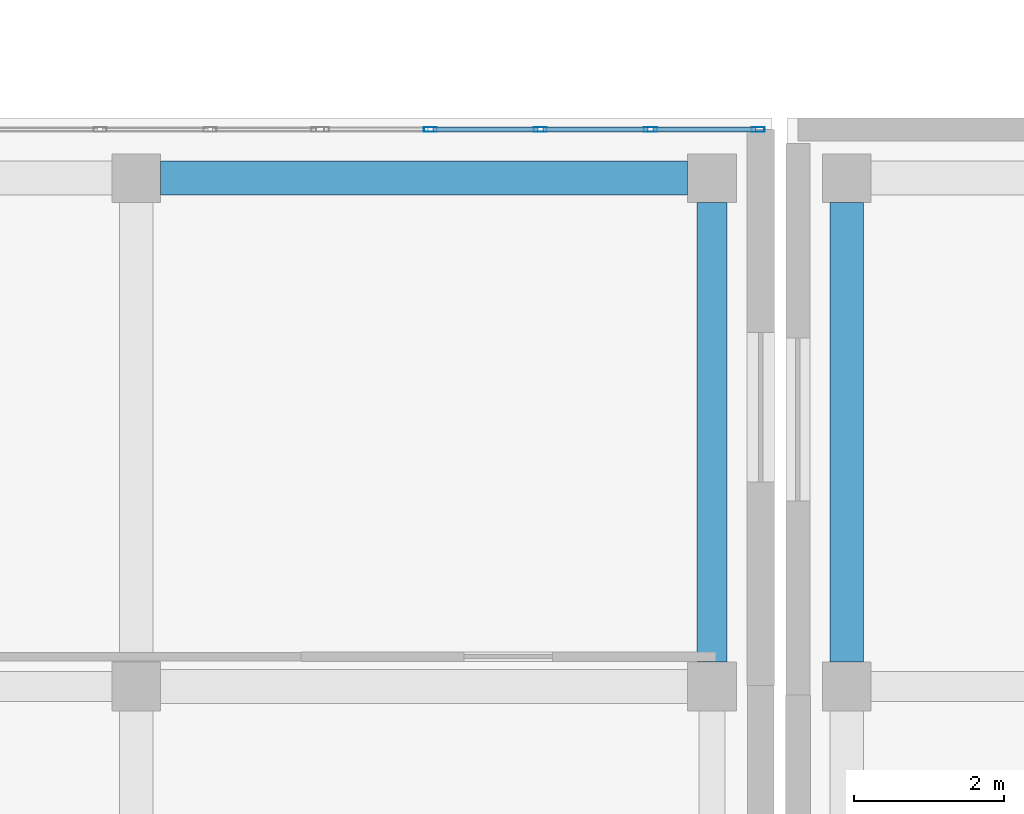
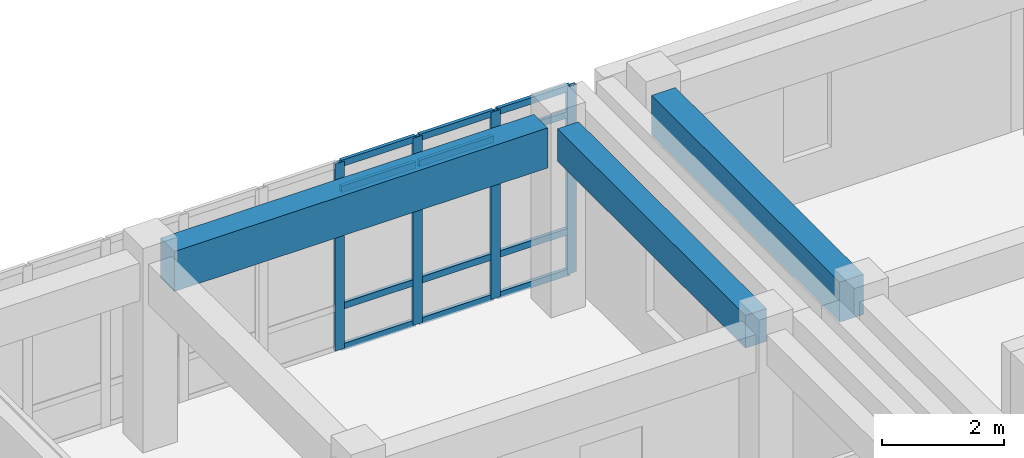
# One storey, part 31 of 146: 16 members, 3 beams, 1 element without a shape of its own.
"""IFC4 building model written with IfcOpenShell, lengths in metres."""

from ifc_helpers import new_model, si_unit, direction, frame, origin, origin_2d, place, context, subcontext, project, spatial, rectangle, hollow_rectangle, extrude, material, layer, layer_set, material_profile, profile_set, type_object, element, aggregate, save


model = new_model("IFC4")

# Units and contexts
model_context = context("Model", 3, precision=1e-05, world=origin(), true_north=direction((0.0, 1.0)))
body_context = subcontext(model_context, "Body", "Model", "MODEL_VIEW")
ifc_project = project(units=[si_unit("LENGTHUNIT", "METRE"), si_unit("AREAUNIT", "SQUARE_METRE"), si_unit("VOLUMEUNIT", "CUBIC_METRE"), si_unit("PLANEANGLEUNIT", "RADIAN"), si_unit("MASSUNIT", "GRAM", prefix="KILO")], contexts=[model_context])

# Site, building, storey
site_placement = place(None, origin())
site = spatial("IfcSite", under=ifc_project, at=site_placement, CompositionType="ELEMENT")
building_placement = place(site_placement, origin())
building = spatial("IfcBuilding", under=site, at=building_placement, Name="Valcora Specialist Clinic", CompositionType="ELEMENT")
storey_placement = place(building_placement, frame((0.0, 0.0, 9.52001953125)))
storey = spatial("IfcBuildingStorey", under=building, at=storey_placement, Name="L02", CompositionType="ELEMENT", Elevation=9.52001953125)

# Beams
ifc_material_1 = material(Name="Concrete C40/50", Category="concrete")
ifc_material_profile_1 = material_profile(ifc_material_1, rectangle(XDim=0.39990234375, YDim=0.64990234375, at=origin_2d()), Name="RC-BM-400X650")
ifc_profile_set_1 = profile_set([ifc_material_profile_1], Name="Concrete C40/50")
beam_type_1 = type_object("IfcBeamType", Name="TY-BM-RC400X650", PredefinedType="BEAM", material=ifc_profile_set_1)
beam_1_placement = place(storey_placement, frame((52.5, 15.52490234375, 3.409912109375), z_axis=(0.0, 1.0, 0.0), x_axis=(-1.0, 0.0, 0.0)))
element("IfcBeam", 1, at=beam_1_placement, inside=storey, type_object=beam_type_1, Name="Beam BM-L02-1027", PredefinedType="BEAM", context=body_context, shape_type="SweptSolid", body=[
    extrude(rectangle(XDim=0.39990234375, YDim=0.64990234375, at=origin_2d()), origin(), (0.0, 0.0, 1.0), 6.150146484375),
])
ifc_material_profile_2 = material_profile(ifc_material_1, rectangle(XDim=0.449951171875, YDim=0.800048828125, at=origin_2d()), Name="RC-BM-450X800")
ifc_profile_set_2 = profile_set([ifc_material_profile_2], Name="Concrete C40/50")
beam_type_2 = type_object("IfcBeamType", Name="TY-BM-RC450X800", PredefinedType="BEAM", material=ifc_profile_set_2)
beam_2_placement = place(storey_placement, frame((45.125, 22.0, 3.3349609375), z_axis=(1.0, 0.0, 0.0), x_axis=(0.0, 1.0, 0.0)))
element("IfcBeam", 2, at=beam_2_placement, inside=storey, type_object=beam_type_2, Name="Beam BM-L02-1008", PredefinedType="BEAM", context=body_context, shape_type="SweptSolid", body=[
    extrude(rectangle(XDim=0.449951171875, YDim=0.800048828125, at=origin_2d()), origin(), (0.0, 0.0, 1.0), 7.050048828125),
])
beam_3_placement = place(storey_placement, frame((54.300048828125, 15.52490234375, 3.3798828125), z_axis=(0.0, 1.0, 0.0), x_axis=(-1.0, 0.0, 0.0)))
element("IfcBeam", 3, at=beam_3_placement, inside=storey, type_object=beam_type_2, Name="Beam BM-L02-1396", PredefinedType="BEAM", context=body_context, shape_type="SweptSolid", body=[
    extrude(rectangle(XDim=0.449951171875, YDim=0.800048828125, at=origin_2d()), origin(), (0.0, 0.0, 1.0), 6.150146484375),
])

# Curtain wall, members
ifc_material_2 = material(Name="Anodized Bronze Aluminium 6063-T6", Category="aluminium")
ifc_layer = layer(ifc_material_2, 0.175048828125)
ifc_layer_set = layer_set([ifc_layer], Name="Anodized Bronze Aluminium 6063-T6")
curtain_wall_type = type_object("IfcCurtainWallType", Name="TY-CW-V5F15", PredefinedType="NOTDEFINED", material=ifc_layer_set)
curtain_wall_placement = place(storey_placement, origin())
curtain_wall = element("IfcCurtainWall", 4, at=curtain_wall_placement, inside=storey, type_object=curtain_wall_type, Name="Curtain wall CW-L02-151", PredefinedType="NOTDEFINED")
ifc_material_profile_3 = material_profile(ifc_material_2, hollow_rectangle(XDim=0.06494140625, YDim=0.175048828125, WallThickness=0.00390625, at=origin_2d()), Name="AL-MUL-65X175")
ifc_profile_set_3 = profile_set([ifc_material_profile_3], Name="Anodized Bronze Aluminium 6063-T6")
member_type_1 = type_object("IfcMemberType", Name="TY-CWM-65X175", PredefinedType="MULLION", material=ifc_profile_set_3)
member_1_placement = place(storey_placement, frame((48.7333984375, 22.64990234375, 0.0), z_axis=(0.0, 0.0, 1.0), x_axis=(0.0, 1.0, 0.0)))
member_1 = element("IfcMember", 5, at=member_1_placement, type_object=member_type_1, Name="CW-V5F-15 mullion 2", PredefinedType="MULLION", context=body_context, shape_type="SweptSolid", body=[
    extrude(hollow_rectangle(XDim=0.06494140625, YDim=0.175048828125, WallThickness=0.00390625, at=origin_2d()), origin(), (0.0, 0.0, 1.0), 3.73486328125),
])
member_2_placement = place(storey_placement, frame((50.20556640625, 22.64990234375, 0.0), z_axis=(0.0, 0.0, 1.0), x_axis=(0.0, 1.0, 0.0)))
member_2 = element("IfcMember", 6, at=member_2_placement, type_object=member_type_1, Name="CW-V5F-15 mullion 3", PredefinedType="MULLION", context=body_context, shape_type="SweptSolid", body=[
    extrude(hollow_rectangle(XDim=0.06494140625, YDim=0.175048828125, WallThickness=0.00390625, at=origin_2d()), origin(), (0.0, 0.0, 1.0), 3.73486328125),
])
member_3_placement = place(storey_placement, frame((51.677734375, 22.64990234375, 0.0), z_axis=(0.0, 0.0, 1.0), x_axis=(0.0, 1.0, 0.0)))
member_3 = element("IfcMember", 7, at=member_3_placement, type_object=member_type_1, Name="CW-V5F-15 mullion 4", PredefinedType="MULLION", context=body_context, shape_type="SweptSolid", body=[
    extrude(hollow_rectangle(XDim=0.06494140625, YDim=0.175048828125, WallThickness=0.00390625, at=origin_2d()), origin(), (0.0, 0.0, 1.0), 3.73486328125),
])
member_4_placement = place(storey_placement, frame((53.117431640625, 22.64990234375, 0.0), z_axis=(0.0, 0.0, 1.0), x_axis=(0.0, 1.0, 0.0)))
member_4 = element("IfcMember", 8, at=member_4_placement, type_object=member_type_1, Name="CW-V5F-15 mullion 5", PredefinedType="MULLION", context=body_context, shape_type="SweptSolid", body=[
    extrude(hollow_rectangle(XDim=0.06494140625, YDim=0.175048828125, WallThickness=0.00390625, at=origin_2d()), origin(), (0.0, 0.0, 1.0), 3.73486328125),
])
ifc_material_profile_4 = material_profile(ifc_material_2, hollow_rectangle(XDim=0.06494140625, YDim=0.1298828125, WallThickness=0.00390625, at=origin_2d()), Name="AL-TRN-65X130")
ifc_profile_set_4 = profile_set([ifc_material_profile_4], Name="Anodized Bronze Aluminium 6063-T6")
member_type_2 = type_object("IfcMemberType", Name="TY-CWT-65X130", PredefinedType="USERDEFINED", material=ifc_profile_set_4)
member_5_placement = place(storey_placement, frame((48.765869140625, 22.64990234375, 0.032470703125), z_axis=(1.0, 0.0, 0.0), x_axis=(0.0, 1.0, 0.0)))
member_5 = element("IfcMember", 9, at=member_5_placement, type_object=member_type_2, Name="CW-V5F-15 transom 2.1", ObjectType="TRANSOM", PredefinedType="USERDEFINED", context=body_context, shape_type="SweptSolid", body=[
    extrude(hollow_rectangle(XDim=0.06494140625, YDim=0.1298828125, WallThickness=0.00390625, at=origin_2d()), origin(), (0.0, 0.0, 1.0), 1.4072265625),
])
member_6_placement = place(storey_placement, frame((48.765869140625, 22.64990234375, 0.85009765625), z_axis=(1.0, 0.0, 0.0), x_axis=(0.0, 1.0, 0.0)))
member_6 = element("IfcMember", 10, at=member_6_placement, type_object=member_type_2, Name="CW-V5F-15 transom 2.2", ObjectType="TRANSOM", PredefinedType="USERDEFINED", context=body_context, shape_type="SweptSolid", body=[
    extrude(hollow_rectangle(XDim=0.06494140625, YDim=0.1298828125, WallThickness=0.00390625, at=origin_2d()), origin(), (0.0, 0.0, 1.0), 1.4072265625),
])
member_7_placement = place(storey_placement, frame((48.765869140625, 22.64990234375, 3.18505859375), z_axis=(1.0, 0.0, 0.0), x_axis=(0.0, 1.0, 0.0)))
member_7 = element("IfcMember", 11, at=member_7_placement, type_object=member_type_2, Name="CW-V5F-15 transom 2.3", ObjectType="TRANSOM", PredefinedType="USERDEFINED", context=body_context, shape_type="SweptSolid", body=[
    extrude(hollow_rectangle(XDim=0.06494140625, YDim=0.1298828125, WallThickness=0.00390625, at=origin_2d()), origin(), (0.0, 0.0, 1.0), 1.4072265625),
])
member_8_placement = place(storey_placement, frame((48.765869140625, 22.64990234375, 3.702392578125), z_axis=(1.0, 0.0, 0.0), x_axis=(0.0, 1.0, 0.0)))
member_8 = element("IfcMember", 12, at=member_8_placement, type_object=member_type_2, Name="CW-V5F-15 transom 2.4", ObjectType="TRANSOM", PredefinedType="USERDEFINED", context=body_context, shape_type="SweptSolid", body=[
    extrude(hollow_rectangle(XDim=0.06494140625, YDim=0.1298828125, WallThickness=0.00390625, at=origin_2d()), origin(), (0.0, 0.0, 1.0), 1.4072265625),
])
member_9_placement = place(storey_placement, frame((50.238037109375, 22.64990234375, 0.032470703125), z_axis=(1.0, 0.0, 0.0), x_axis=(0.0, 1.0, 0.0)))
member_9 = element("IfcMember", 13, at=member_9_placement, type_object=member_type_2, Name="CW-V5F-15 transom 3.1", ObjectType="TRANSOM", PredefinedType="USERDEFINED", context=body_context, shape_type="SweptSolid", body=[
    extrude(hollow_rectangle(XDim=0.06494140625, YDim=0.1298828125, WallThickness=0.00390625, at=origin_2d()), origin(), (0.0, 0.0, 1.0), 1.4072265625),
])
member_10_placement = place(storey_placement, frame((50.238037109375, 22.64990234375, 0.85009765625), z_axis=(1.0, 0.0, 0.0), x_axis=(0.0, 1.0, 0.0)))
member_10 = element("IfcMember", 14, at=member_10_placement, type_object=member_type_2, Name="CW-V5F-15 transom 3.2", ObjectType="TRANSOM", PredefinedType="USERDEFINED", context=body_context, shape_type="SweptSolid", body=[
    extrude(hollow_rectangle(XDim=0.06494140625, YDim=0.1298828125, WallThickness=0.00390625, at=origin_2d()), origin(), (0.0, 0.0, 1.0), 1.4072265625),
])
member_11_placement = place(storey_placement, frame((50.238037109375, 22.64990234375, 3.18505859375), z_axis=(1.0, 0.0, 0.0), x_axis=(0.0, 1.0, 0.0)))
member_11 = element("IfcMember", 15, at=member_11_placement, type_object=member_type_2, Name="CW-V5F-15 transom 3.3", ObjectType="TRANSOM", PredefinedType="USERDEFINED", context=body_context, shape_type="SweptSolid", body=[
    extrude(hollow_rectangle(XDim=0.06494140625, YDim=0.1298828125, WallThickness=0.00390625, at=origin_2d()), origin(), (0.0, 0.0, 1.0), 1.4072265625),
])
member_12_placement = place(storey_placement, frame((50.238037109375, 22.64990234375, 3.702392578125), z_axis=(1.0, 0.0, 0.0), x_axis=(0.0, 1.0, 0.0)))
member_12 = element("IfcMember", 16, at=member_12_placement, type_object=member_type_2, Name="CW-V5F-15 transom 3.4", ObjectType="TRANSOM", PredefinedType="USERDEFINED", context=body_context, shape_type="SweptSolid", body=[
    extrude(hollow_rectangle(XDim=0.06494140625, YDim=0.1298828125, WallThickness=0.00390625, at=origin_2d()), origin(), (0.0, 0.0, 1.0), 1.4072265625),
])
member_13_placement = place(storey_placement, frame((51.710205078125, 22.64990234375, 0.032470703125), z_axis=(1.0, 0.0, 0.0), x_axis=(0.0, 1.0, 0.0)))
member_13 = element("IfcMember", 17, at=member_13_placement, type_object=member_type_2, Name="CW-V5F-15 transom 4.1", ObjectType="TRANSOM", PredefinedType="USERDEFINED", context=body_context, shape_type="SweptSolid", body=[
    extrude(hollow_rectangle(XDim=0.06494140625, YDim=0.1298828125, WallThickness=0.00390625, at=origin_2d()), origin(), (0.0, 0.0, 1.0), 1.374755859375),
])
member_14_placement = place(storey_placement, frame((51.710205078125, 22.64990234375, 0.85009765625), z_axis=(1.0, 0.0, 0.0), x_axis=(0.0, 1.0, 0.0)))
member_14 = element("IfcMember", 18, at=member_14_placement, type_object=member_type_2, Name="CW-V5F-15 transom 4.2", ObjectType="TRANSOM", PredefinedType="USERDEFINED", context=body_context, shape_type="SweptSolid", body=[
    extrude(hollow_rectangle(XDim=0.06494140625, YDim=0.1298828125, WallThickness=0.00390625, at=origin_2d()), origin(), (0.0, 0.0, 1.0), 1.374755859375),
])
member_15_placement = place(storey_placement, frame((51.710205078125, 22.64990234375, 3.18505859375), z_axis=(1.0, 0.0, 0.0), x_axis=(0.0, 1.0, 0.0)))
member_15 = element("IfcMember", 19, at=member_15_placement, type_object=member_type_2, Name="CW-V5F-15 transom 4.3", ObjectType="TRANSOM", PredefinedType="USERDEFINED", context=body_context, shape_type="SweptSolid", body=[
    extrude(hollow_rectangle(XDim=0.06494140625, YDim=0.1298828125, WallThickness=0.00390625, at=origin_2d()), origin(), (0.0, 0.0, 1.0), 1.374755859375),
])
member_16_placement = place(storey_placement, frame((51.710205078125, 22.64990234375, 3.702392578125), z_axis=(1.0, 0.0, 0.0), x_axis=(0.0, 1.0, 0.0)))
member_16 = element("IfcMember", 20, at=member_16_placement, type_object=member_type_2, Name="CW-V5F-15 transom 4.4", ObjectType="TRANSOM", PredefinedType="USERDEFINED", context=body_context, shape_type="SweptSolid", body=[
    extrude(hollow_rectangle(XDim=0.06494140625, YDim=0.1298828125, WallThickness=0.00390625, at=origin_2d()), origin(), (0.0, 0.0, 1.0), 1.374755859375),
])
aggregate(curtain_wall, [member_1, member_2, member_3, member_4, member_5, member_6, member_7, member_8, member_9, member_10, member_11, member_12, member_13, member_14, member_15, member_16])

save(model, "model.ifc")
